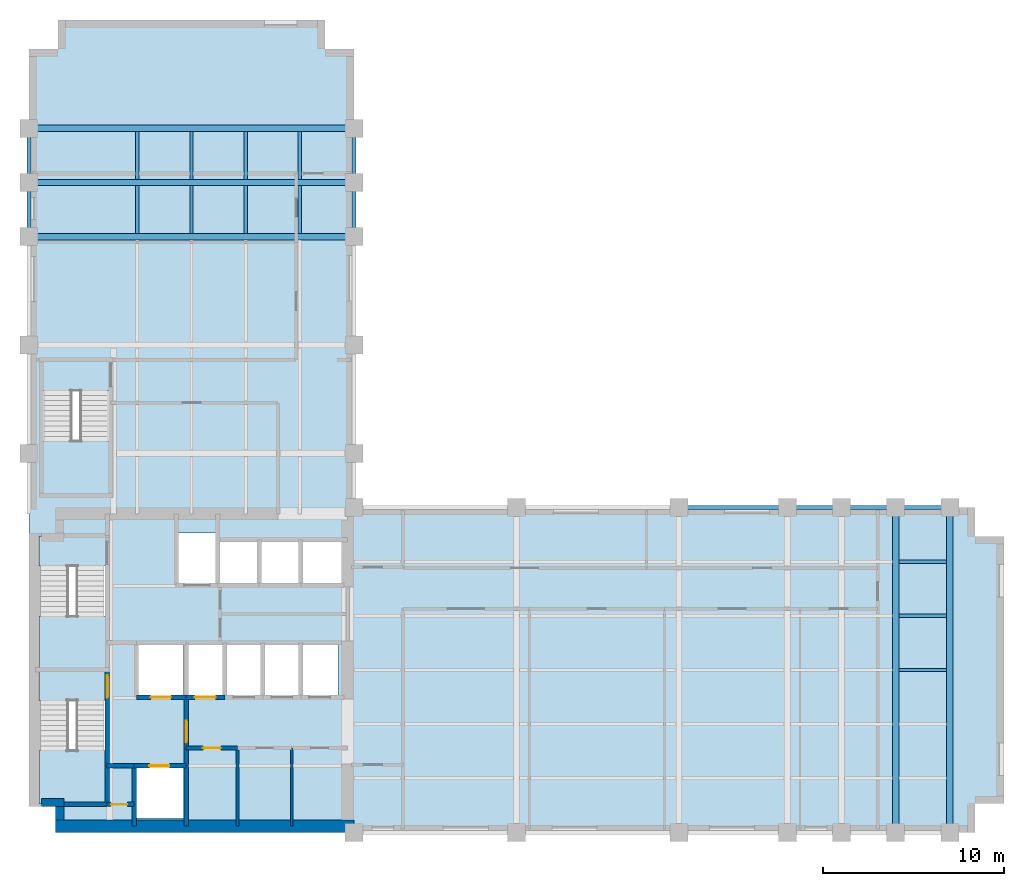
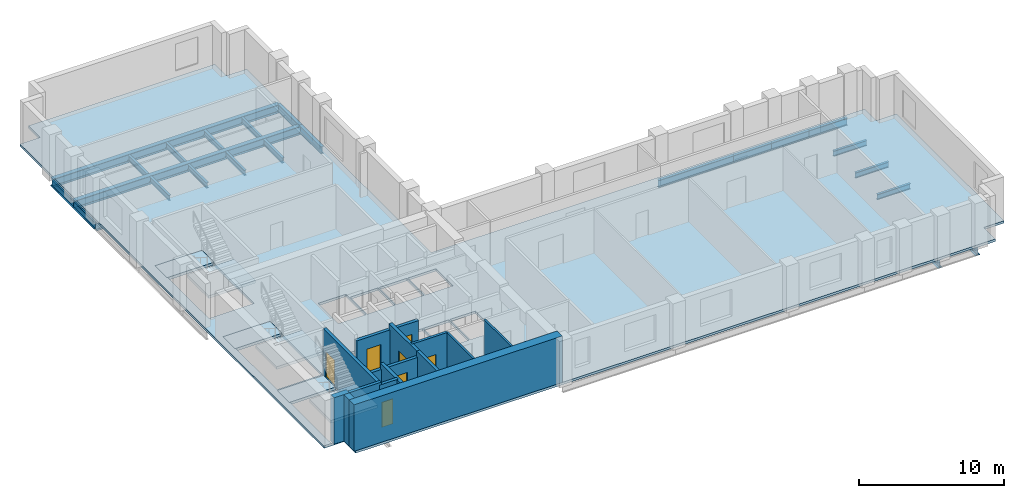
# One storey, part 2 of 7: 24 beams, 16 walls, 7 doors, 7 slabs, 7 openings, 3 elements without a shape of their own.
"""IFC4 building model written with IfcOpenShell, lengths in metres."""

from ifc_helpers import new_model, si_unit, direction, frame, frame_2d, origin, origin_2d, place, context, subcontext, project, spatial, polyline, rectangle, i_section, outline, extrude, material, layer, layer_set, material_profile, profile_set, type_object, element, fill, aggregate, save


model = new_model("IFC4")

# Units and contexts
model_context = context("Model", 3, precision=1e-05, world=origin(), true_north=direction((0.0, 1.0)))
body_context = subcontext(model_context, "Body", "Model", "MODEL_VIEW")
ifc_project = project(units=[si_unit("LENGTHUNIT", "METRE"), si_unit("AREAUNIT", "SQUARE_METRE"), si_unit("VOLUMEUNIT", "CUBIC_METRE"), si_unit("PLANEANGLEUNIT", "RADIAN"), si_unit("MASSUNIT", "GRAM", prefix="KILO")], contexts=[model_context])

# Site, building, storey
site_placement = place(None, origin())
site = spatial("IfcSite", under=ifc_project, at=site_placement, CompositionType="ELEMENT")
building_placement = place(site_placement, origin())
building = spatial("IfcBuilding", under=site, at=building_placement, Name="Mawjdan Bourse Tower", CompositionType="ELEMENT")
storey_placement = place(building_placement, frame((0.0, 0.0, 140.10009765625)))
storey = spatial("IfcBuildingStorey", under=building, at=storey_placement, Name="L33", CompositionType="ELEMENT", Elevation=140.10009765625)

# Beams
ifc_material_1 = material(Name="Structural Steel S355", Category="steel")
ifc_material_profile_1 = material_profile(ifc_material_1, i_section(OverallWidth=0.35498046875, OverallDepth=0.696044921875, WebThickness=0.015380859375, FlangeThickness=0.02490234375, FilletRadius=0.019775390625, at=origin_2d()), Name="W27X146")
ifc_profile_set_1 = profile_set([ifc_material_profile_1], Name="Structural Steel S355")
beam_type_1 = type_object("IfcBeamType", Name="GRD-W27X146", PredefinedType="BEAM", material=ifc_profile_set_1)
for number, where, z_axis, x_axis, name in (
    (1, (54.0, 3.0, -0.548095703125), (0.0, 1.0, 0.0), (-1.0, 0.0, 0.0), "L33 East Wing Clear-Span Girder 006"),
    (2, (57.0, 3.0, -0.548095703125), (0.0, 1.0, 0.0), (-1.0, 0.0, 0.0), "L33 East Wing Clear-Span Girder 007"),
    (3, (6.0, 36.0, -0.548095703125), (1.0, 0.0, 0.0), (0.0, 1.0, 0.0), "L33 North Wing Clear-Span Girder 057"),
    (4, (6.0, 39.0, -0.548095703125), (1.0, 0.0, 0.0), (0.0, 1.0, 0.0), "L33 North Wing Clear-Span Girder 058"),
    (5, (6.0, 42.0, -0.548095703125), (1.0, 0.0, 0.0), (0.0, 1.0, 0.0), "L33 North Wing Clear-Span Girder 059"),
):
    element("IfcBeam", number, at=place(storey_placement, frame(where, z_axis=z_axis, x_axis=x_axis)), inside=storey, type_object=beam_type_1, Name=name, PredefinedType="BEAM", context=body_context, shape_type="SweptSolid", body=[
        extrude(i_section(OverallWidth=0.35498046875, OverallDepth=0.696044921875, WebThickness=0.015380859375, FlangeThickness=0.02490234375, FilletRadius=0.019775390625, at=origin_2d()), origin(), (0.0, 0.0, 1.0), 18.0),
    ])
ifc_material_profile_2 = material_profile(ifc_material_1, i_section(OverallWidth=0.18994140625, OverallDepth=0.45703125, WebThickness=0.009033203125, FlangeThickness=0.014404296875, FilletRadius=0.01171875, at=origin_2d()), Name="W18X50")
ifc_profile_set_2 = profile_set([ifc_material_profile_2], Name="Structural Steel S355")
beam_type_2 = type_object("IfcBeamType", Name="JST-W18X50", PredefinedType="JOIST", material=ifc_profile_set_2)
for number, where, z_axis, x_axis, name in (
    (6, (54.175537109375, 12.0, -0.4287109375), (1.0, 0.0, 0.0), (0.0, 1.0, 0.0), "L33 East Wing Composite Joist 037"),
    (7, (54.175537109375, 15.0, -0.4287109375), (1.0, 0.0, 0.0), (0.0, 1.0, 0.0), "L33 East Wing Composite Joist 043"),
    (8, (54.175537109375, 18.0, -0.4287109375), (1.0, 0.0, 0.0), (0.0, 1.0, 0.0), "L33 East Wing Composite Joist 049"),
    (9, (12.0, 36.175537109375, -0.4287109375), (0.0, 1.0, 0.0), (-1.0, 0.0, 0.0), "L33 North Wing Composite Joist 073"),
    (10, (12.0, 39.175537109375, -0.4287109375), (0.0, 1.0, 0.0), (-1.0, 0.0, 0.0), "L33 North Wing Composite Joist 074"),
    (11, (15.0, 36.175537109375, -0.4287109375), (0.0, 1.0, 0.0), (-1.0, 0.0, 0.0), "L33 North Wing Composite Joist 078"),
    (12, (15.0, 39.175537109375, -0.4287109375), (0.0, 1.0, 0.0), (-1.0, 0.0, 0.0), "L33 North Wing Composite Joist 079"),
    (13, (18.0, 36.175537109375, -0.4287109375), (0.0, 1.0, 0.0), (-1.0, 0.0, 0.0), "L33 North Wing Composite Joist 083"),
    (14, (18.0, 39.175537109375, -0.4287109375), (0.0, 1.0, 0.0), (-1.0, 0.0, 0.0), "L33 North Wing Composite Joist 084"),
    (15, (21.0, 36.175537109375, -0.4287109375), (0.0, 1.0, 0.0), (-1.0, 0.0, 0.0), "L33 North Wing Composite Joist 088"),
    (16, (21.0, 39.175537109375, -0.4287109375), (0.0, 1.0, 0.0), (-1.0, 0.0, 0.0), "L33 North Wing Composite Joist 089"),
):
    element("IfcBeam", number, at=place(storey_placement, frame(where, z_axis=z_axis, x_axis=x_axis)), inside=storey, type_object=beam_type_2, Name=name, PredefinedType="JOIST", context=body_context, shape_type="SweptSolid", body=[
        extrude(i_section(OverallWidth=0.18994140625, OverallDepth=0.45703125, WebThickness=0.009033203125, FlangeThickness=0.014404296875, FilletRadius=0.01171875, at=origin_2d()), origin(), (0.0, 0.0, 1.0), 2.64892578125),
    ])
ifc_material_profile_3 = material_profile(ifc_material_1, i_section(OverallWidth=0.22998046875, OverallDepth=0.616943359375, WebThickness=0.01318359375, FlangeThickness=0.022216796875, FilletRadius=0.017822265625, at=origin_2d()), Name="W24X94")
ifc_profile_set_3 = profile_set([ifc_material_profile_3], Name="Structural Steel S355")
beam_type_3 = type_object("IfcBeamType", Name="SPN-W24X94", PredefinedType="SPANDREL", material=ifc_profile_set_3)
beam_placement = place(storey_placement, frame((42.0, 21.0, -0.508544921875), z_axis=(1.0, 0.0, 0.0), x_axis=(0.0, 1.0, 0.0)))
element("IfcBeam", 17, at=beam_placement, inside=storey, type_object=beam_type_3, Name="L33 Perimeter Masonry-Shelf Spandrel 016", PredefinedType="SPANDREL", context=body_context, shape_type="SweptSolid", body=[
    extrude(i_section(OverallWidth=0.22998046875, OverallDepth=0.616943359375, WebThickness=0.01318359375, FlangeThickness=0.022216796875, FilletRadius=0.017822265625, at=origin_2d()), origin(), (0.0, 0.0, 1.0), 6.0),
])
for number, where, z_axis, x_axis, name in (
    (18, (48.0, 21.0, -0.508544921875), (1.0, 0.0, 0.0), (0.0, 1.0, 0.0), "L33 Perimeter Masonry-Shelf Spandrel 017"),
    (19, (51.0, 21.0, -0.508544921875), (1.0, 0.0, 0.0), (0.0, 1.0, 0.0), "L33 Perimeter Masonry-Shelf Spandrel 018"),
    (20, (54.0, 21.0, -0.508544921875), (1.0, 0.0, 0.0), (0.0, 1.0, 0.0), "L33 Perimeter Masonry-Shelf Spandrel 019"),
    (21, (6.0, 36.0, -0.508544921875), (0.0, 1.0, 0.0), (-1.0, 0.0, 0.0), "L33 North Wing Spandrel 063"),
    (22, (6.0, 39.0, -0.508544921875), (0.0, 1.0, 0.0), (-1.0, 0.0, 0.0), "L33 North Wing Spandrel 064"),
    (23, (24.0, 36.0, -0.508544921875), (0.0, 1.0, 0.0), (-1.0, 0.0, 0.0), "L33 North Wing Spandrel 068"),
    (24, (24.0, 39.0, -0.508544921875), (0.0, 1.0, 0.0), (-1.0, 0.0, 0.0), "L33 North Wing Spandrel 069"),
):
    element("IfcBeam", number, at=place(storey_placement, frame(where, z_axis=z_axis, x_axis=x_axis)), inside=storey, type_object=beam_type_3, Name=name, PredefinedType="SPANDREL", context=body_context, shape_type="SweptSolid", body=[
        extrude(i_section(OverallWidth=0.22998046875, OverallDepth=0.616943359375, WebThickness=0.01318359375, FlangeThickness=0.022216796875, FilletRadius=0.017822265625, at=origin_2d()), origin(), (0.0, 0.0, 1.0), 3.0),
    ])

# Stair, slabs
ifc_material_2 = material(Name="Concrete C50/60", Category="concrete")
stair_type = type_object("IfcStairType", Name="STR-CORE-1500", PredefinedType="HALF_TURN_STAIR", material=ifc_material_2)
stair_1_placement = place(storey_placement, origin())
stair_1 = element("IfcStair", 25, at=stair_1_placement, inside=storey, type_object=stair_type, Name="L33 Exit Stair 1 (Core South-West)", PredefinedType="HALF_TURN_STAIR")
ifc_layer_1 = layer(ifc_material_2, 0.22998046875)
ifc_layer_set_1 = layer_set([ifc_layer_1], Name="Concrete C50/60")
slab_type_1 = type_object("IfcSlabType", Name="SL-LND-230", PredefinedType="LANDING", material=ifc_layer_set_1)
slab_1_placement = place(storey_placement, frame((0.0, 0.0, -0.22998046875)))
slab_1 = element("IfcSlab", 26, at=slab_1_placement, type_object=slab_type_1, Name="ST1-L33 landing 1", PredefinedType="LANDING", context=body_context, shape_type="SweptSolid", body=[
    extrude(outline(polyline([(6.5400390625, 10.31005859375), (10.260009765625, 10.31005859375), (10.260009765625, 11.969970703125), (6.5400390625, 11.969970703125), (6.5400390625, 10.31005859375)])), origin(), (0.0, 0.0, 1.0), 0.22998046875),
])
slab_2_placement = place(storey_placement, frame((0.0, 0.0, 1.719970703125)))
slab_2 = element("IfcSlab", 27, at=slab_2_placement, type_object=slab_type_1, Name="ST1-L33 landing 2", PredefinedType="LANDING", context=body_context, shape_type="SweptSolid", body=[
    extrude(outline(polyline([(6.5400390625, 4.590087890625), (10.260009765625, 4.590087890625), (10.260009765625, 7.5400390625), (6.5400390625, 7.5400390625), (6.5400390625, 4.590087890625)])), origin(), (0.0, 0.0, 1.0), 0.22998046875),
])
aggregate(stair_1, [slab_1, slab_2])

stair_2_placement = place(storey_placement, origin())
stair_2 = element("IfcStair", 28, at=stair_2_placement, inside=storey, type_object=stair_type, Name="L33 Exit Stair 2 (Core North-West)", PredefinedType="HALF_TURN_STAIR")
slab_3_placement = place(storey_placement, frame((0.0, 0.0, -0.22998046875)))
slab_3 = element("IfcSlab", 29, at=slab_3_placement, type_object=slab_type_1, Name="ST2-L33 landing 1", PredefinedType="LANDING", context=body_context, shape_type="SweptSolid", body=[
    extrude(outline(polyline([(6.5400390625, 17.75), (10.260009765625, 17.75), (10.260009765625, 19.409912109375), (6.5400390625, 19.409912109375), (6.5400390625, 17.75)])), origin(), (0.0, 0.0, 1.0), 0.22998046875),
])
slab_4_placement = place(storey_placement, frame((0.0, 0.0, 1.719970703125)))
slab_4 = element("IfcSlab", 30, at=slab_4_placement, type_object=slab_type_1, Name="ST2-L33 landing 2", PredefinedType="LANDING", context=body_context, shape_type="SweptSolid", body=[
    extrude(outline(polyline([(6.5400390625, 12.030029296875), (10.260009765625, 12.030029296875), (10.260009765625, 14.97998046875), (6.5400390625, 14.97998046875), (6.5400390625, 12.030029296875)])), origin(), (0.0, 0.0, 1.0), 0.22998046875),
])
aggregate(stair_2, [slab_3, slab_4])

stair_3_placement = place(storey_placement, origin())
stair_3 = element("IfcStair", 31, at=stair_3_placement, inside=storey, type_object=stair_type, Name="L33 Exit Stair 3 (North Wing)", PredefinedType="HALF_TURN_STAIR")
slab_5_placement = place(storey_placement, frame((0.0, 0.0, -0.22998046875)))
slab_5 = element("IfcSlab", 32, at=slab_5_placement, type_object=slab_type_1, Name="ST3-L33 landing 1", PredefinedType="LANDING", context=body_context, shape_type="SweptSolid", body=[
    extrude(outline(polyline([(6.739990234375, 27.4599609375), (10.4599609375, 27.4599609375), (10.4599609375, 29.1201171875), (6.739990234375, 29.1201171875), (6.739990234375, 27.4599609375)])), origin(), (0.0, 0.0, 1.0), 0.22998046875),
])
slab_6_placement = place(storey_placement, frame((0.0, 0.0, 1.719970703125)))
slab_6 = element("IfcSlab", 33, at=slab_6_placement, type_object=slab_type_1, Name="ST3-L33 landing 2", PredefinedType="LANDING", context=body_context, shape_type="SweptSolid", body=[
    extrude(outline(polyline([(6.739990234375, 21.739990234375), (10.4599609375, 21.739990234375), (10.4599609375, 24.68994140625), (6.739990234375, 24.68994140625), (6.739990234375, 21.739990234375)])), origin(), (0.0, 0.0, 1.0), 0.22998046875),
])
aggregate(stair_3, [slab_5, slab_6])

# Slab
ifc_layer_2 = layer(ifc_material_2, 0.199951171875)
ifc_layer_set_2 = layer_set([ifc_layer_2], Name="Concrete C50/60")
slab_type_2 = type_object("IfcSlabType", Name="SL-OFC-200", PredefinedType="FLOOR", material=ifc_layer_set_2)
slab_7_placement = place(storey_placement, frame((0.0, 0.0, -0.2001953125)))
element("IfcSlab", 34, at=slab_7_placement, inside=storey, type_object=slab_type_2, Name="L33 Structural Floor Slab 1", PredefinedType="FLOOR", context=body_context, shape_type="SweptSolid", body=[
    extrude(outline(polyline([(7.60009765625, 3.0), (58.39990234375, 3.0), (58.39990234375, 4.60009765625), (60.0, 4.60009765625), (60.0, 19.39990234375), (58.39990234375, 19.39990234375), (58.39990234375, 21.0), (24.0, 21.0), (24.0, 46.39990234375), (22.39990234375, 46.39990234375), (22.39990234375, 48.0), (7.60009765625, 48.0), (7.60009765625, 46.39990234375), (6.0, 46.39990234375), (6.0, 4.60009765625), (7.60009765625, 4.60009765625), (7.60009765625, 3.0)]), holes=[polyline([(11.949951171875, 3.800048828125), (11.949951171875, 6.60009765625), (14.550048828125, 6.60009765625), (14.550048828125, 3.800048828125), (11.949951171875, 3.800048828125)]), polyline([(6.60009765625, 10.31005859375), (6.5400390625, 10.31005859375), (6.5400390625, 11.969970703125), (10.260009765625, 11.969970703125), (10.260009765625, 10.31005859375), (10.199951171875, 10.31005859375), (10.199951171875, 4.64990234375), (6.60009765625, 4.64990234375), (6.60009765625, 10.31005859375)]), polyline([(12.050048828125, 10.60009765625), (12.050048828125, 13.39990234375), (14.550048828125, 13.39990234375), (14.550048828125, 10.60009765625), (12.050048828125, 10.60009765625)]), polyline([(10.260009765625, 19.409912109375), (10.260009765625, 17.75), (10.199951171875, 17.75), (10.199951171875, 12.090087890625), (6.60009765625, 12.090087890625), (6.60009765625, 17.75), (6.5400390625, 17.75), (6.5400390625, 19.409912109375), (10.260009765625, 19.409912109375)]), polyline([(10.4599609375, 29.1201171875), (10.4599609375, 27.4599609375), (10.39990234375, 27.4599609375), (10.39990234375, 21.800048828125), (6.800048828125, 21.800048828125), (6.800048828125, 27.4599609375), (6.739990234375, 27.4599609375), (6.739990234375, 29.1201171875), (10.4599609375, 29.1201171875)]), polyline([(14.800048828125, 10.60009765625), (14.800048828125, 13.39990234375), (16.800048828125, 13.39990234375), (16.800048828125, 10.60009765625), (14.800048828125, 10.60009765625)]), polyline([(16.89990234375, 10.60009765625), (16.89990234375, 13.39990234375), (18.89990234375, 13.39990234375), (18.89990234375, 10.60009765625), (16.89990234375, 10.60009765625)]), polyline([(19.0, 10.60009765625), (19.0, 13.39990234375), (21.0, 13.39990234375), (21.0, 10.60009765625), (19.0, 10.60009765625)]), polyline([(21.10009765625, 10.60009765625), (21.10009765625, 13.39990234375), (23.10009765625, 13.39990234375), (23.10009765625, 10.60009765625), (21.10009765625, 10.60009765625)]), polyline([(16.5, 16.800048828125), (16.5, 19.14990234375), (18.699951171875, 19.14990234375), (18.699951171875, 16.800048828125), (16.5, 16.800048828125)]), polyline([(18.800048828125, 16.800048828125), (18.800048828125, 19.14990234375), (21.0, 19.14990234375), (21.0, 16.800048828125), (18.800048828125, 16.800048828125)]), polyline([(21.10009765625, 16.800048828125), (21.10009765625, 19.14990234375), (23.300048828125, 19.14990234375), (23.300048828125, 16.800048828125), (21.10009765625, 16.800048828125)]), polyline([(14.199951171875, 16.800048828125), (14.199951171875, 19.60009765625), (16.39990234375, 19.60009765625), (16.39990234375, 16.800048828125), (14.199951171875, 16.800048828125)])]), origin(), (0.0, 0.0, 1.0), 0.2001953125),
])

# Wall, opening, door
ifc_material_3 = material(Name="Gypsum Fireboard Assembly")
ifc_layer_3 = layer(ifc_material_3, 0.199951171875)
ifc_layer_set_3 = layer_set([ifc_layer_3], Name="Gypsum Fireboard Assembly")
wall_type_1 = type_object("IfcWallType", Name="WL-CMP-200", PredefinedType="PARTITIONING", material=ifc_layer_set_3)
wall_1_placement = place(storey_placement, frame((14.699951171875, 7.679931640625, 0.0), z_axis=(0.0, 0.0, 1.0), x_axis=(1.0, 0.0, 0.0)))
wall_1 = element("IfcWall", 35, at=wall_1_placement, inside=storey, type_object=wall_type_1, Name="L33 Archive & Records Office North Wall", PredefinedType="PARTITIONING", context=body_context, shape_type="SweptSolid", body=[
    extrude(rectangle(XDim=2.85009765625, YDim=0.199951171875, at=frame_2d((1.425048828125, 0.0))), origin(), (0.0, 0.0, 1.0), 3.68994140625),
])
opening_1_placement = place(wall_1_placement, frame((0.925048828125, 0.0, 0.0)))
opening_1 = element("IfcOpeningElement", 36, at=opening_1_placement, cuts=wall_1, Name="Opening D-L33-10", PredefinedType="OPENING", context=body_context, shape_type="SweptSolid", body=[
    extrude(rectangle(XDim=1.0, YDim=2.14990234375, at=frame_2d((0.5, 1.074951171875))), frame((0.0, 0.10986328125, 0.0), z_axis=(0.0, -1.0, 0.0), x_axis=(1.0, 0.0, 0.0)), (0.0, 0.0, 1.0), 0.219970703125),
])
ifc_material_4 = material(Name="Hardwood Acoustic Leaf", Category="wood")
door_type_1 = type_object("IfcDoorType", Name="DR-OFC-1000", OperationType="NOTDEFINED", PredefinedType="DOOR", material=ifc_material_4)
door_1_placement = place(opening_1_placement, origin())
door_1 = element("IfcDoor", 37, at=door_1_placement, inside=storey, type_object=door_type_1, Name="L33 Archive & Records Office Door D-L33-10", OperationType="SINGLE_SWING_RIGHT", OverallHeight=2.14990234375, OverallWidth=1.0, PredefinedType="DOOR", context=body_context, shape_type="SweptSolid", body=[
    extrude(rectangle(XDim=1.0, YDim=2.14990234375, at=frame_2d((0.5, 1.074951171875))), frame((0.0, 0.02490234375, 0.0), z_axis=(0.0, -1.0, 0.0), x_axis=(1.0, 0.0, 0.0)), (0.0, 0.0, 1.0), 0.050048828125),
])
fill(opening_1, door_1)

# Walls
ifc_material_5 = material(Name="Concrete C60/75", Category="concrete")
ifc_layer_4 = layer(ifc_material_5, 0.449951171875)
ifc_layer_set_4 = layer_set([ifc_layer_4], Name="Concrete C60/75")
wall_type_2 = type_object("IfcWallType", Name="WL-CORE-450", PredefinedType="SHEAR", material=ifc_layer_set_4)
wall_2_placement = place(storey_placement, frame((6.699951171875, 4.64990234375, 0.0), z_axis=(0.0, 0.0, 1.0), x_axis=(1.0, 0.0, 0.0)))
element("IfcWall", 38, at=wall_2_placement, inside=storey, type_object=wall_type_2, Name="L33 Rear Core Shear Wall SW-X", PredefinedType="SHEAR", context=body_context, shape_type="SweptSolid", body=[
    extrude(rectangle(XDim=1.22509765625, YDim=0.449951171875, at=frame_2d((0.612548828125, 0.0))), origin(), (0.0, 0.0, 1.0), 3.89990234375),
])
wall_3_placement = place(storey_placement, frame((7.699951171875, 3.699951171875, 0.0), z_axis=(0.0, 0.0, 1.0), x_axis=(0.0, 1.0, 0.0)))
element("IfcWall", 39, at=wall_3_placement, inside=storey, type_object=wall_type_2, Name="L33 Rear Core Shear Wall SW-Y", PredefinedType="SHEAR", context=body_context, shape_type="SweptSolid", body=[
    extrude(rectangle(XDim=0.72509765625, YDim=0.449951171875, at=frame_2d((0.362548828125, 0.0))), origin(), (0.0, 0.0, 1.0), 3.89990234375),
])
ifc_material_6 = material(Name="Concrete C70/85", Category="concrete")
ifc_layer_5 = layer(ifc_material_6, 0.699951171875)
ifc_layer_set_5 = layer_set([ifc_layer_5], Name="Concrete C70/85")
wall_type_3 = type_object("IfcWallType", Name="WL-CORE-700", PredefinedType="SHEAR", material=ifc_layer_set_5)
wall_4_placement = place(storey_placement, frame((7.47509765625, 3.35009765625, 0.0), z_axis=(0.0, 0.0, 1.0), x_axis=(1.0, 0.0, 0.0)))
element("IfcWall", 40, at=wall_4_placement, inside=storey, type_object=wall_type_3, Name="L33 Rear Core Shear Wall S", PredefinedType="SHEAR", context=body_context, shape_type="SweptSolid", body=[
    extrude(rectangle(XDim=16.52490234375, YDim=0.699951171875, at=frame_2d((8.262451171875, 0.0))), origin(), (0.0, 0.0, 1.0), 3.89990234375),
])
ifc_material_7 = material(Name="Gypsum Acoustic Partition")
ifc_layer_6 = layer(ifc_material_7, 0.14990234375)
ifc_layer_set_6 = layer_set([ifc_layer_6], Name="Gypsum Acoustic Partition")
wall_type_4 = type_object("IfcWallType", Name="WL-PRT-150", PredefinedType="PARTITIONING", material=ifc_layer_set_6)
for number, where, z_axis, x_axis, name in (
    (41, (17.550048828125, 3.35009765625, 0.0), (0.0, 0.0, 1.0), (0.0, 1.0, 0.0), "L33 IT & Fiber Patch Room Core Split Wall"),
    (42, (20.550048828125, 3.35009765625, 0.0), (0.0, 0.0, 1.0), (0.0, 1.0, 0.0), "L33 Staff Tea Pantry Core Split Wall"),
):
    element("IfcWall", number, at=place(storey_placement, frame(where, z_axis=z_axis, x_axis=x_axis)), inside=storey, type_object=wall_type_4, Name=name, PredefinedType="PARTITIONING", context=body_context, shape_type="SweptSolid", body=[
        extrude(rectangle(XDim=4.329833984375, YDim=0.14990234375, at=frame_2d((2.1650390625, 0.0))), origin(), (0.0, 0.0, 1.0), 3.68994140625),
    ])

# Wall, opening, door
ifc_layer_7 = layer(ifc_material_2, 0.25)
ifc_layer_set_7 = layer_set([ifc_layer_7], Name="Concrete C50/60")
wall_type_5 = type_object("IfcWallType", Name="WL-SHFT-250", PredefinedType="PARTITIONING", material=ifc_layer_set_7)
wall_5_placement = place(storey_placement, frame((10.330078125, 4.550048828125, 0.0), z_axis=(0.0, 0.0, 1.0), x_axis=(1.0, 0.0, 0.0)))
wall_5 = element("IfcWall", 43, at=wall_5_placement, inside=storey, type_object=wall_type_5, Name="L33 SW Riser North Wall", PredefinedType="PARTITIONING", context=body_context, shape_type="SweptSolid", body=[
    extrude(rectangle(XDim=1.489990234375, YDim=0.25, at=frame_2d((0.7451171875, 0.0))), origin(), (0.0, 0.0, 1.0), 3.68994140625),
])
opening_2_placement = place(wall_5_placement, frame((0.219970703125, 0.0, 0.0)))
opening_2 = element("IfcOpeningElement", 44, at=opening_2_placement, cuts=wall_5, Name="Opening RD-L33-03", PredefinedType="OPENING", context=body_context, shape_type="SweptSolid", body=[
    extrude(rectangle(XDim=0.89990234375, YDim=2.10009765625, at=frame_2d((0.449951171875, 1.050048828125))), frame((0.0, 0.135009765625, 0.0), z_axis=(0.0, -1.0, 0.0), x_axis=(1.0, 0.0, 0.0)), (0.0, 0.0, 1.0), 0.27001953125),
])
ifc_material_8 = material(Name="Fire-Rated Steel Access Leaf", Category="steel")
door_type_2 = type_object("IfcDoorType", Name="FD-RSR-0900", OperationType="NOTDEFINED", PredefinedType="TRAPDOOR", material=ifc_material_8)
door_2_placement = place(opening_2_placement, origin())
door_2 = element("IfcDoor", 45, at=door_2_placement, inside=storey, type_object=door_type_2, Name="L33 Electrical Riser Access Door RD-L33-03", OperationType="SINGLE_SWING_RIGHT", OverallHeight=2.10009765625, OverallWidth=0.89990234375, PredefinedType="TRAPDOOR", context=body_context, shape_type="SweptSolid", body=[
    extrude(rectangle(XDim=0.89990234375, YDim=2.10009765625, at=frame_2d((0.449951171875, 1.050048828125))), frame((0.0, 0.02490234375, 0.0), z_axis=(0.0, -1.0, 0.0), x_axis=(1.0, 0.0, 0.0)), (0.0, 0.0, 1.0), 0.050048828125),
])
fill(opening_2, door_2)

# Wall
wall_6_placement = place(storey_placement, frame((11.820068359375, 3.35009765625, 0.0), z_axis=(0.0, 0.0, 1.0), x_axis=(0.0, 1.0, 0.0)))
element("IfcWall", 46, at=wall_6_placement, inside=storey, type_object=wall_type_5, Name="L33 SW Riser & FFL01 West Wall", PredefinedType="PARTITIONING", context=body_context, shape_type="SweptSolid", body=[
    extrude(rectangle(XDim=3.349853515625, YDim=0.25, at=frame_2d((1.6748046875, 0.0))), origin(), (0.0, 0.0, 1.0), 3.68994140625),
])

# Wall, opening, door
wall_7_placement = place(storey_placement, frame((11.820068359375, 6.699951171875, 0.0), z_axis=(0.0, 0.0, 1.0), x_axis=(1.0, 0.0, 0.0)))
wall_7 = element("IfcWall", 47, at=wall_7_placement, inside=storey, type_object=wall_type_5, Name="L33 FFL-01 Front Shaft Wall", PredefinedType="PARTITIONING", context=body_context, shape_type="SweptSolid", body=[
    extrude(rectangle(XDim=2.8798828125, YDim=0.25, at=frame_2d((1.43994140625, 0.0))), origin(), (0.0, 0.0, 1.0), 3.23291015625),
])
opening_3_placement = place(wall_7_placement, frame((0.85009765625, 0.0, 0.0)))
opening_3 = element("IfcOpeningElement", 48, at=opening_3_placement, cuts=wall_7, Name="Opening LD-L33-05", PredefinedType="OPENING", context=body_context, shape_type="SweptSolid", body=[
    extrude(rectangle(XDim=1.10009765625, YDim=2.25, at=frame_2d((0.550048828125, 1.125))), frame((0.0, 0.135009765625, 0.0), z_axis=(0.0, -1.0, 0.0), x_axis=(1.0, 0.0, 0.0)), (0.0, 0.0, 1.0), 0.27001953125),
])
ifc_material_9 = material(Name="Brushed Stainless Steel", Category="steel")
door_type_3 = type_object("IfcDoorType", Name="LD-FFL-1100", OperationType="DOUBLE_DOOR_SLIDING", PredefinedType="DOOR", material=ifc_material_9)
door_3_placement = place(opening_3_placement, origin())
door_3 = element("IfcDoor", 49, at=door_3_placement, inside=storey, type_object=door_type_3, Name="L33 Firefighting Lift FFL-01 Landing Door LD-L33-05", OperationType="DOUBLE_DOOR_SLIDING", OverallHeight=2.25, OverallWidth=1.10009765625, PredefinedType="DOOR", context=body_context, shape_type="SweptSolid", body=[
    extrude(rectangle(XDim=1.10009765625, YDim=2.25, at=frame_2d((0.550048828125, 1.125))), frame((0.0, 0.02490234375, 0.0), z_axis=(0.0, -1.0, 0.0), x_axis=(1.0, 0.0, 0.0)), (0.0, 0.0, 1.0), 0.050048828125),
])
fill(opening_3, door_3)

# Wall
wall_8_placement = place(storey_placement, frame((14.699951171875, 3.35009765625, 0.0), z_axis=(0.0, 0.0, 1.0), x_axis=(0.0, 1.0, 0.0)))
element("IfcWall", 50, at=wall_8_placement, inside=storey, type_object=wall_type_5, Name="L33 FFL-01 East Shaft Wall", PredefinedType="PARTITIONING", context=body_context, shape_type="SweptSolid", body=[
    extrude(rectangle(XDim=3.349853515625, YDim=0.25, at=frame_2d((1.6748046875, 0.0))), origin(), (0.0, 0.0, 1.0), 3.68994140625),
])

# Wall, opening, door
wall_9_placement = place(storey_placement, frame((11.949951171875, 10.5, 0.0), z_axis=(0.0, 0.0, 1.0), x_axis=(1.0, 0.0, 0.0)))
wall_9 = element("IfcWall", 51, at=wall_9_placement, inside=storey, type_object=wall_type_5, Name="L33 FFL-02 Front Shaft Wall", PredefinedType="PARTITIONING", context=body_context, shape_type="SweptSolid", body=[
    extrude(rectangle(XDim=2.75, YDim=0.25, at=frame_2d((1.375, 0.0))), origin(), (0.0, 0.0, 1.0), 3.23291015625),
])
opening_4_placement = place(wall_9_placement, frame((0.800048828125, 0.0, 0.0)))
opening_4 = element("IfcOpeningElement", 52, at=opening_4_placement, cuts=wall_9, Name="Opening LD-L33-06", PredefinedType="OPENING", context=body_context, shape_type="SweptSolid", body=[
    extrude(rectangle(XDim=1.10009765625, YDim=2.25, at=frame_2d((0.550048828125, 1.125))), frame((0.0, 0.135009765625, 0.0), z_axis=(0.0, -1.0, 0.0), x_axis=(1.0, 0.0, 0.0)), (0.0, 0.0, 1.0), 0.27001953125),
])
door_4_placement = place(opening_4_placement, origin())
door_4 = element("IfcDoor", 53, at=door_4_placement, inside=storey, type_object=door_type_3, Name="L33 Firefighting Lift FFL-02 Landing Door LD-L33-06", OperationType="DOUBLE_DOOR_SLIDING", OverallHeight=2.25, OverallWidth=1.10009765625, PredefinedType="DOOR", context=body_context, shape_type="SweptSolid", body=[
    extrude(rectangle(XDim=1.10009765625, YDim=2.25, at=frame_2d((0.550048828125, 1.125))), frame((0.0, 0.02490234375, 0.0), z_axis=(0.0, -1.0, 0.0), x_axis=(1.0, 0.0, 0.0)), (0.0, 0.0, 1.0), 0.050048828125),
])
fill(opening_4, door_4)

wall_10_placement = place(storey_placement, frame((14.699951171875, 6.699951171875, 0.0), z_axis=(0.0, 0.0, 1.0), x_axis=(0.0, 1.0, 0.0)))
wall_10 = element("IfcWall", 54, at=wall_10_placement, inside=storey, type_object=wall_type_5, Name="L33 Firefighting Lobby East Compartment Wall", PredefinedType="PARTITIONING", context=body_context, shape_type="SweptSolid", body=[
    extrude(rectangle(XDim=3.800048828125, YDim=0.25, at=frame_2d((1.89990234375, 0.0))), origin(), (0.0, 0.0, 1.0), 3.68994140625),
])
opening_5_placement = place(wall_10_placement, frame((1.300048828125, 0.0, 0.0)))
opening_5 = element("IfcOpeningElement", 55, at=opening_5_placement, cuts=wall_10, Name="Opening FD-L33-07", PredefinedType="OPENING", context=body_context, shape_type="SweptSolid", body=[
    extrude(rectangle(XDim=1.199951171875, YDim=2.199951171875, at=frame_2d((0.60009765625, 1.10009765625))), frame((0.0, 0.135009765625, 0.0), z_axis=(0.0, -1.0, 0.0), x_axis=(1.0, 0.0, 0.0)), (0.0, 0.0, 1.0), 0.27001953125),
])
ifc_material_10 = material(Name="Fire-Rated Steel Leaf", Category="steel")
door_type_4 = type_object("IfcDoorType", Name="FD-FFL-1200", OperationType="NOTDEFINED", PredefinedType="DOOR", material=ifc_material_10)
door_5_placement = place(opening_5_placement, origin())
door_5 = element("IfcDoor", 56, at=door_5_placement, inside=storey, type_object=door_type_4, Name="L33 Firefighting Lobby East Smoke Door FD-L33-07", OperationType="SINGLE_SWING_RIGHT", OverallHeight=2.199951171875, OverallWidth=1.199951171875, PredefinedType="DOOR", context=body_context, shape_type="SweptSolid", body=[
    extrude(rectangle(XDim=1.199951171875, YDim=2.199951171875, at=frame_2d((0.60009765625, 1.10009765625))), frame((0.0, 0.02490234375, 0.0), z_axis=(0.0, -1.0, 0.0), x_axis=(1.0, 0.0, 0.0)), (0.0, 0.0, 1.0), 0.050048828125),
])
fill(opening_5, door_5)

# Wall
wall_11_placement = place(storey_placement, frame((10.330078125, 6.699951171875, 0.0), z_axis=(0.0, 0.0, 1.0), x_axis=(1.0, 0.0, 0.0)))
element("IfcWall", 57, at=wall_11_placement, inside=storey, type_object=wall_type_5, Name="L33 Firefighting Lobby South Closure Wall", PredefinedType="PARTITIONING", context=body_context, shape_type="SweptSolid", body=[
    extrude(rectangle(XDim=1.489990234375, YDim=0.25, at=frame_2d((0.7451171875, 0.0))), origin(), (0.0, 0.0, 1.0), 3.23291015625),
])

# Wall, opening, door
wall_12_placement = place(storey_placement, frame((14.699951171875, 10.5, 0.0), z_axis=(0.0, 0.0, 1.0), x_axis=(1.0, 0.0, 0.0)))
wall_12 = element("IfcWall", 58, at=wall_12_placement, inside=storey, type_object=wall_type_5, Name="L33 PM-01 Front Wall", PredefinedType="PARTITIONING", context=body_context, shape_type="SweptSolid", body=[
    extrude(rectangle(XDim=2.150146484375, YDim=0.25, at=frame_2d((1.0751953125, 0.0))), origin(), (0.0, 0.0, 1.0), 3.23291015625),
])
opening_6_placement = place(wall_12_placement, frame((0.47998046875, 0.0, 0.0)))
opening_6 = element("IfcOpeningElement", 59, at=opening_6_placement, cuts=wall_12, Name="Opening LD-L33-13", PredefinedType="OPENING", context=body_context, shape_type="SweptSolid", body=[
    extrude(rectangle(XDim=1.14990234375, YDim=2.25, at=frame_2d((0.574951171875, 1.125))), frame((0.0, 0.135009765625, 0.0), z_axis=(0.0, -1.0, 0.0), x_axis=(1.0, 0.0, 0.0)), (0.0, 0.0, 1.0), 0.27001953125),
])
door_type_5 = type_object("IfcDoorType", Name="LD-PAS-1150", OperationType="DOUBLE_DOOR_SLIDING", PredefinedType="DOOR", material=ifc_material_9)
door_6_placement = place(opening_6_placement, origin())
door_6 = element("IfcDoor", 60, at=door_6_placement, inside=storey, type_object=door_type_5, Name="L33 Lift PM-01 Landing Door LD-L33-13", OperationType="DOUBLE_DOOR_SLIDING", OverallHeight=2.25, OverallWidth=1.14990234375, PredefinedType="DOOR", context=body_context, shape_type="SweptSolid", body=[
    extrude(rectangle(XDim=1.14990234375, YDim=2.25, at=frame_2d((0.574951171875, 1.125))), frame((0.0, 0.02490234375, 0.0), z_axis=(0.0, -1.0, 0.0), x_axis=(1.0, 0.0, 0.0)), (0.0, 0.0, 1.0), 0.050048828125),
])
fill(opening_6, door_6)

# Wall
ifc_layer_8 = layer(ifc_material_2, 0.25)
ifc_layer_set_8 = layer_set([ifc_layer_8], Name="Concrete C50/60")
wall_type_6 = type_object("IfcWallType", Name="WL-STRW-250", PredefinedType="SHEAR", material=ifc_layer_set_8)
wall_13_placement = place(storey_placement, frame((7.699951171875, 4.550048828125, 0.0), z_axis=(0.0, 0.0, 1.0), x_axis=(1.0, 0.0, 0.0)))
element("IfcWall", 61, at=wall_13_placement, inside=storey, type_object=wall_type_6, Name="L33 Stairwell ST1 South Shaft Wall", PredefinedType="SHEAR", context=body_context, shape_type="SweptSolid", body=[
    extrude(rectangle(XDim=2.755126953125, YDim=0.25, at=frame_2d((1.37744140625, 0.0))), origin(), (0.0, 0.0, 1.0), 3.89990234375),
])

# Wall, opening, door
wall_14_placement = place(storey_placement, frame((10.330078125, 4.550048828125, 0.0), z_axis=(0.0, 0.0, 1.0), x_axis=(0.0, 1.0, 0.0)))
wall_14 = element("IfcWall", 62, at=wall_14_placement, inside=storey, type_object=wall_type_6, Name="L33 Stairwell ST1 East Enclosure Wall", PredefinedType="SHEAR", context=body_context, shape_type="SweptSolid", body=[
    extrude(rectangle(XDim=7.449951171875, YDim=0.25, at=frame_2d((3.72509765625, 0.0))), origin(), (0.0, 0.0, 1.0), 3.89990234375),
])
opening_7_placement = place(wall_14_placement, frame((5.89990234375, 0.0, 0.0)))
opening_7 = element("IfcOpeningElement", 63, at=opening_7_placement, cuts=wall_14, Name="Opening SD-L33-01", PredefinedType="OPENING", context=body_context, shape_type="SweptSolid", body=[
    extrude(rectangle(XDim=1.25, YDim=2.199951171875, at=frame_2d((0.625, 1.10009765625))), frame((0.0, 0.135009765625, 0.0), z_axis=(0.0, -1.0, 0.0), x_axis=(1.0, 0.0, 0.0)), (0.0, 0.0, 1.0), 0.27001953125),
])
door_type_6 = type_object("IfcDoorType", Name="FD-ST-1250", OperationType="NOTDEFINED", PredefinedType="DOOR", material=ifc_material_10)
door_7_placement = place(opening_7_placement, origin())
door_7 = element("IfcDoor", 64, at=door_7_placement, inside=storey, type_object=door_type_6, Name="L33 Exit Stair ST1 Fire Door SD-L33-01", OperationType="SINGLE_SWING_RIGHT", OverallHeight=2.199951171875, OverallWidth=1.25, PredefinedType="DOOR", context=body_context, shape_type="SweptSolid", body=[
    extrude(rectangle(XDim=1.25, YDim=2.199951171875, at=frame_2d((0.625, 1.10009765625))), frame((0.0, 0.02490234375, 0.0), z_axis=(0.0, -1.0, 0.0), x_axis=(1.0, 0.0, 0.0)), (0.0, 0.0, 1.0), 0.050048828125),
])
fill(opening_7, door_7)

save(model, "model.ifc")
